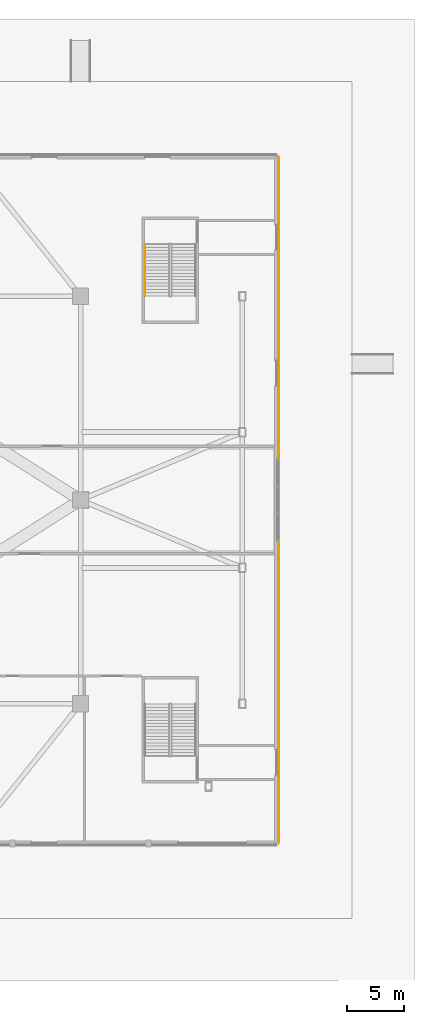
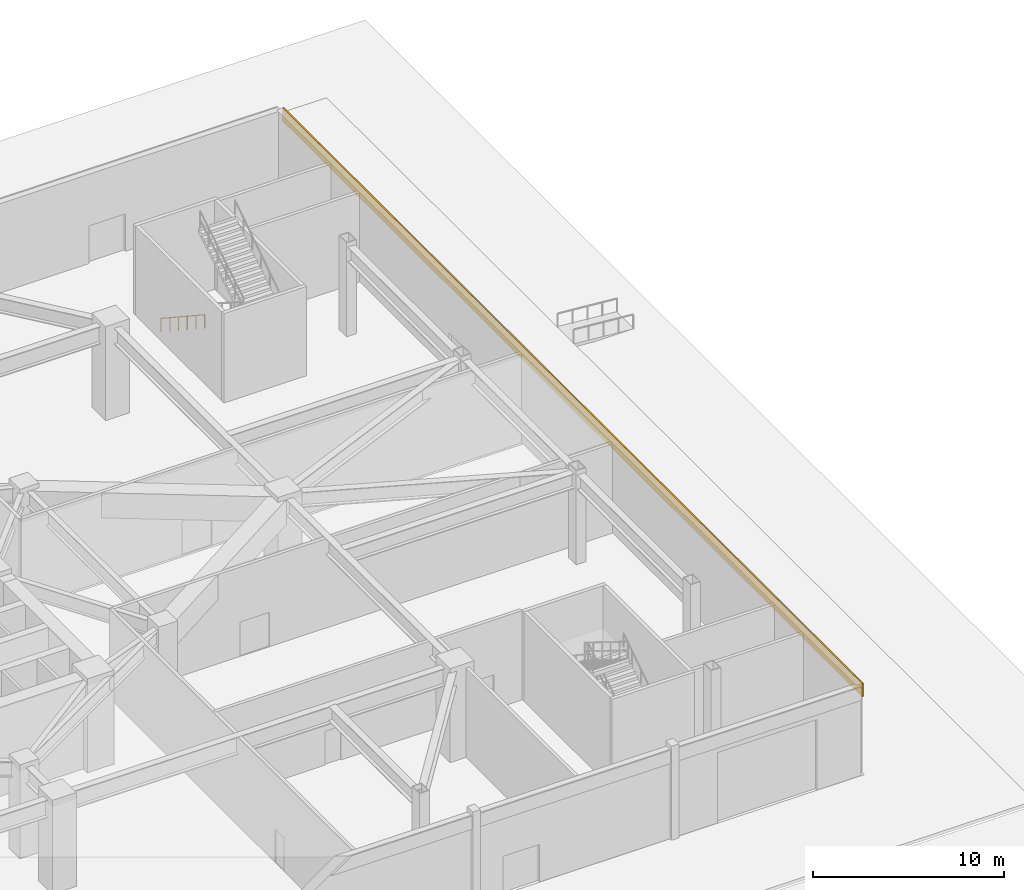
# One storey, part 21 of 24: 1 covering, 1 railing.
"""IFC4 building model written with IfcOpenShell, lengths in metres."""

import ifcopenshell
import ifcopenshell.guid

model = None  # the IFC model being written
_history = None  # IfcOwnerHistory: only IFC2X3 demands one
_inside = {}  # id of a spatial element -> (the spatial element, [elements in it])
_under = {}  # id of a project, library or spatial element -> (it, [spatial elements below it])
_declared = {}  # id of a project -> (the project, [libraries it declares])
_typed = {}  # id of a type object -> (the type object, [elements of that type])
_made_of = {}  # id of a material, layer set ... -> (it, [elements and type objects made of it])


def new_model(schema):
    """Start an empty IFC model of exactly this schema.

    Asked for "IFC4X3", IfcOpenShell would pick the latest addendum, in which some entities
    have other attributes; the version numbers below select the first issue.
    IFC2X3 requires an IfcOwnerHistory on every rooted entity: one is made here for all.
    """
    global model, _history
    if schema == "IFC4X3":
        model = ifcopenshell.file(schema_version=(4, 3, 0, 0))
    else:
        model = ifcopenshell.file(schema=schema)
    _inside.clear()
    _under.clear()
    _declared.clear()
    _typed.clear()
    _made_of.clear()
    _history = None
    if model.schema == "IFC2X3":
        org = make("IfcOrganization", Name="unknown")
        user = make(
            "IfcPersonAndOrganization",
            ThePerson=make("IfcPerson", FamilyName="unknown"),
            TheOrganization=org,
        )
        app = make(
            "IfcApplication",
            ApplicationDeveloper=org,
            Version="unknown",
            ApplicationFullName="unknown",
            ApplicationIdentifier="unknown",
        )
        _history = make(
            "IfcOwnerHistory",
            OwningUser=user,
            OwningApplication=app,
            ChangeAction="ADDED",
            CreationDate=0,
        )
    return model


def make(cls, **values):
    """One entity of the class cls with the attributes given. An attribute that is None is left unset."""
    return model.create_entity(
        cls, **{name: value for name, value in values.items() if value is not None}
    )


def rooted(cls, **values):
    """An entity with a GlobalId (a new one), such as an element, a storey or a relation."""
    return make(cls, GlobalId=ifcopenshell.guid.new(), OwnerHistory=_history, **values)


def si_unit(unit_type, name, prefix=None):
    """IfcSIUnit, for example si_unit("LENGTHUNIT", "METRE", prefix="MILLI")."""
    return make("IfcSIUnit", UnitType=unit_type, Prefix=prefix, Name=name)


def assignment(units):
    """IfcUnitAssignment: the units of a project."""
    return None if units is None else make("IfcUnitAssignment", Units=units)


def point(xyz):
    """IfcCartesianPoint."""
    return None if xyz is None else make("IfcCartesianPoint", Coordinates=xyz)


def direction(xyz):
    """IfcDirection."""
    return None if xyz is None else make("IfcDirection", DirectionRatios=xyz)


def frame(location, z_axis=None, x_axis=None):
    """IfcAxis2Placement3D, a coordinate frame: its origin and axes. An axis left out is left unset."""
    return make(
        "IfcAxis2Placement3D",
        Location=point(location),
        Axis=direction(z_axis),
        RefDirection=direction(x_axis),
    )


def frame_2d(location, x_axis=None):
    """IfcAxis2Placement2D, a coordinate frame in the plane: its origin and x axis."""
    return make(
        "IfcAxis2Placement2D", Location=point(location), RefDirection=direction(x_axis)
    )


def origin():
    """The frame at (0, 0, 0) with its axes left unset."""
    return frame((0.0, 0.0, 0.0))


def origin_2d():
    """The frame at (0, 0) in the plane with its x axis left unset."""
    return frame_2d((0.0, 0.0))


def place(relative_to, where):
    """IfcLocalPlacement: puts the frame where relative to a parent placement (None: the world)."""
    return make(
        "IfcLocalPlacement", PlacementRelTo=relative_to, RelativePlacement=where
    )


def context(
    kind, dimensions, precision=None, world=None, true_north=None, identifier=None
):
    """IfcGeometricRepresentationContext, for example the 3D "Model" context."""
    return make(
        "IfcGeometricRepresentationContext",
        ContextIdentifier=identifier,
        ContextType=kind,
        CoordinateSpaceDimension=dimensions,
        Precision=precision,
        WorldCoordinateSystem=world,
        TrueNorth=true_north,
    )


def subcontext(parent, identifier, kind, view, scale=None):
    """IfcGeometricRepresentationSubContext, for example "Body" below "Model"."""
    return make(
        "IfcGeometricRepresentationSubContext",
        ContextIdentifier=identifier,
        ContextType=kind,
        ParentContext=parent,
        TargetScale=scale,
        TargetView=view,
    )


def project(units=None, contexts=None):
    """IfcProject with its units and contexts."""
    return rooted(
        "IfcProject",
        Name="project",
        RepresentationContexts=contexts,
        UnitsInContext=assignment(units),
    )


def spatial(cls, under=None, at=None, **own):
    """A site, building, storey or space (cls), placed at a placement, below another one or the project."""
    s = rooted(cls, ObjectPlacement=at, **own)
    if under is not None:
        _under.setdefault(under.id(), (under, []))[1].append(s)
    return s


def polyline(points):
    """IfcPolyline through the points."""
    return make("IfcPolyline", Points=[point(p) for p in points])


def profile(cls, at=None, kind="AREA", **sizes):
    """A parametric profile (cls). Its sizes go by their IFC names, for example OverallWidth=200.0."""
    return make(cls, ProfileType=kind, Position=at, **sizes)


def rectangle(**sizes):
    """IfcRectangleProfileDef."""
    return profile("IfcRectangleProfileDef", **sizes)


def outline(outer, holes=None, kind="AREA"):
    """IfcArbitraryClosedProfileDef: a profile drawn as a closed curve; with holes, ...WithVoids."""
    if holes is None:
        return make("IfcArbitraryClosedProfileDef", ProfileType=kind, OuterCurve=outer)
    return make(
        "IfcArbitraryProfileDefWithVoids",
        ProfileType=kind,
        OuterCurve=outer,
        InnerCurves=holes,
    )


def extrude(swept, where, along, depth):
    """IfcExtrudedAreaSolid: the profile swept, set in the frame where, extruded along a direction by depth."""
    return make(
        "IfcExtrudedAreaSolid",
        SweptArea=swept,
        Position=where,
        ExtrudedDirection=direction(along),
        Depth=depth,
    )


def shape(context_of_items, identifier, shape_type, items):
    """IfcShapeRepresentation: the items that make up one representation, for example the "Body"."""
    return make(
        "IfcShapeRepresentation",
        ContextOfItems=context_of_items,
        RepresentationIdentifier=identifier,
        RepresentationType=shape_type,
        Items=items,
    )


def material(Name=None, Category=None):
    """IfcMaterial."""
    return make("IfcMaterial", Name=Name, Category=Category)


def layer(
    of_material, thickness, ventilated=None, Name=None, Category=None, Priority=None
):
    """IfcMaterialLayer: one layer of a wall or slab, of a material (None: an air gap)."""
    return make(
        "IfcMaterialLayer",
        Material=of_material,
        LayerThickness=thickness,
        IsVentilated=ventilated,
        Name=Name,
        Category=Category,
        Priority=Priority,
    )


def layer_set(layers, Name=None):
    """IfcMaterialLayerSet."""
    return make("IfcMaterialLayerSet", MaterialLayers=layers, LayerSetName=Name)


def made_of(thing, what):
    """Note that an element or type object is made of a material, layer set ...; save() writes the relation."""
    if what is not None:
        _made_of.setdefault(what.id(), (what, []))[1].append(thing)
    return thing


def type_object(cls, material=None, **own):
    """A type object (cls), such as IfcWallType, which elements share."""
    return made_of(rooted(cls, **own), material)


def element(
    cls,
    number,
    at=None,
    inside=None,
    cuts=None,
    type_object=None,
    material=None,
    context=None,
    identifier="Body",
    shape_type=None,
    held_by="IfcProductDefinitionShape",
    body=None,
    shapes=None,
    **own,
):
    """One element of the class cls, such as IfcWall. Its Tag is "e" and its number.

    at: its placement. inside: the storey or other place that contains it. cuts: it is an
    opening in that element (IfcRelVoidsElement). A single representation is given by context,
    identifier, shape_type and body (its items); several are given by shapes. held_by: the class
    of the entity that holds the representations. save() writes the other relations.
    """
    e = rooted(cls, Tag="e%d" % number, ObjectPlacement=at, **own)
    if body is not None:
        shapes = [shape(context, identifier, shape_type, body)]
    if shapes is not None:
        e.Representation = make(held_by, Representations=shapes)
    if inside is not None:
        _inside.setdefault(inside.id(), (inside, []))[1].append(e)
    if cuts is not None:
        rooted(
            "IfcRelVoidsElement", RelatingBuildingElement=cuts, RelatedOpeningElement=e
        )
    if type_object is not None:
        _typed.setdefault(type_object.id(), (type_object, []))[1].append(e)
    return made_of(e, material)


def aggregate(whole, parts):
    """IfcRelAggregates: a whole, such as a stair, and the parts it consists of."""
    return rooted("IfcRelAggregates", RelatingObject=whole, RelatedObjects=parts)


def save(model, path):
    """Write the relations noted so far, then the file.

    IfcRelAggregates (storeys below a building ...), IfcRelContainedInSpatialStructure (elements
    in a storey), IfcRelDefinesByType, IfcRelAssociatesMaterial and IfcRelDeclares: one each for
    every whole, place, type object, material and project.
    """
    for whole, parts in _under.values():
        aggregate(whole, parts)
    for where, things in _inside.values():
        rooted(
            "IfcRelContainedInSpatialStructure",
            RelatedElements=things,
            RelatingStructure=where,
        )
    for kind, things in _typed.values():
        rooted("IfcRelDefinesByType", RelatedObjects=things, RelatingType=kind)
    for what, things in _made_of.values():
        rooted("IfcRelAssociatesMaterial", RelatedObjects=things, RelatingMaterial=what)
    for by, libraries in _declared.values():
        rooted("IfcRelDeclares", RelatingContext=by, RelatedDefinitions=libraries)
    model.write(path)


model = new_model("IFC4")

# Units and contexts
model_context = context("Model", 3, precision=1e-05, world=origin(), true_north=direction((0.0, 1.0)))
body_context = subcontext(model_context, "Body", "Model", "MODEL_VIEW")
ifc_project = project(units=[si_unit("LENGTHUNIT", "METRE"), si_unit("AREAUNIT", "SQUARE_METRE"), si_unit("VOLUMEUNIT", "CUBIC_METRE"), si_unit("PLANEANGLEUNIT", "RADIAN"), si_unit("MASSUNIT", "GRAM", prefix="KILO")], contexts=[model_context])

# Site, building, storey
site_placement = place(None, origin())
site = spatial("IfcSite", under=ifc_project, at=site_placement, CompositionType="ELEMENT")
building_placement = place(site_placement, origin())
building = spatial("IfcBuilding", under=site, at=building_placement, Name="Apsidion Concourse Tower", CompositionType="ELEMENT")
storey_placement = place(building_placement, origin())
storey = spatial("IfcBuildingStorey", under=building, at=storey_placement, Name="L00", CompositionType="ELEMENT", Elevation=0.0)

# Covering
ifc_material_1 = material(Name="Reconstituted limestone facade cladding", Category="masonry")
ifc_layer = layer(ifc_material_1, 0.080078125)
ifc_layer_set = layer_set([ifc_layer], Name="Reconstituted limestone facade cladding")
covering_type = type_object("IfcCoveringType", Name="COV-CLAD-80", PredefinedType="CLADDING", material=ifc_layer_set)
covering_placement = place(storey_placement, frame((0.0, 0.0, 4.85009765625)))
element("IfcCovering", 1, at=covering_placement, inside=storey, type_object=covering_type, Name="L00 Limestone Spandrel Cladding E", PredefinedType="CLADDING", context=body_context, shape_type="SweptSolid", body=[
    extrude(outline(polyline([(41.47998046875, 30.300048828125), (41.47998046875, -30.300048828125), (41.56005859375, -30.300048828125), (41.56005859375, 30.300048828125), (41.47998046875, 30.300048828125)])), origin(), (0.0, 0.0, 1.0), 0.849853515625),
])

# Railing
ifc_material_2 = material(Name="Brushed stainless steel 316", Category="steel")
railing_type = type_object("IfcRailingType", Name="RL-HAND-900", PredefinedType="HANDRAIL", material=ifc_material_2)
railing_placement = place(storey_placement, frame((29.699951171875, 22.60009765625, 0.176513671875)))
element("IfcRailing", 2, at=railing_placement, inside=storey, type_object=railing_type, Name="L00 ST-P4 stair handrail 1", PredefinedType="HANDRAIL", context=body_context, shape_type="SweptSolid", body=[
    extrude(rectangle(XDim=0.048095703125, YDim=0.048095703125, at=origin_2d()), frame((0.0, 0.0, 0.8759765625), z_axis=(0.0, -0.835420324919, 0.549611572578), x_axis=(1.0, 0.0, 0.0)), (0.0, 0.0, 1.0), 5.45849609375),
    extrude(rectangle(XDim=0.0419921875, YDim=0.0419921875, at=origin_2d()), origin(), (0.0, 0.0, 1.0), 0.851806640625),
    extrude(rectangle(XDim=0.0419921875, YDim=0.0419921875, at=origin_2d()), frame((0.0, -0.912109375, 0.60009765625)), (0.0, 0.0, 1.0), 0.851806640625),
    extrude(rectangle(XDim=0.0419921875, YDim=0.0419921875, at=origin_2d()), frame((0.0, -1.823974609375, 1.199951171875)), (0.0, 0.0, 1.0), 0.851806640625),
    extrude(rectangle(XDim=0.0419921875, YDim=0.0419921875, at=origin_2d()), frame((0.0, -2.736083984375, 1.800048828125)), (0.0, 0.0, 1.0), 0.851806640625),
    extrude(rectangle(XDim=0.0419921875, YDim=0.0419921875, at=origin_2d()), frame((0.0, -3.64794921875, 2.39990234375)), (0.0, 0.0, 1.0), 0.851806640625),
    extrude(rectangle(XDim=0.0419921875, YDim=0.0419921875, at=origin_2d()), frame((0.0, -4.56005859375, 3.0)), (0.0, 0.0, 1.0), 0.851806640625),
])

save(model, "model.ifc")
